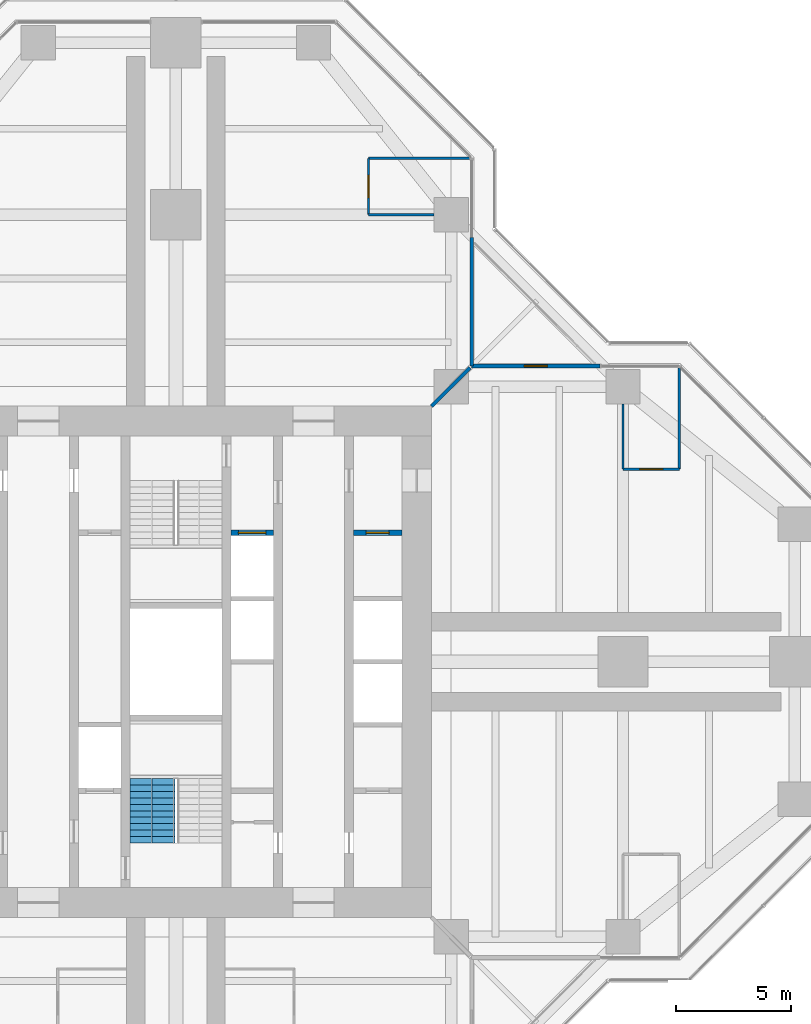
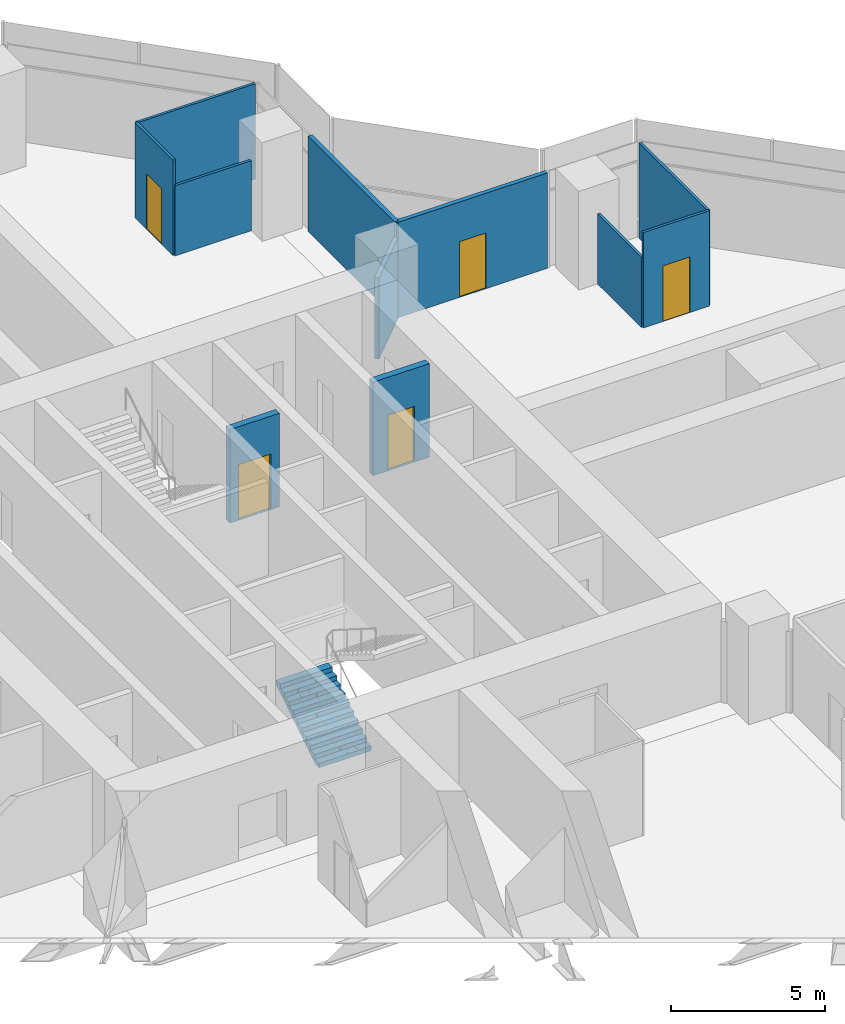
# One storey, part 15 of 17: 11 walls, 5 doors, 1 stair flight, 5 openings, 1 element without a shape of its own.
"""IFC4 building model written with IfcOpenShell, lengths in metres."""

from ifc_helpers import new_model, si_unit, direction, frame, frame_2d, origin, place, context, subcontext, project, spatial, polyline, rectangle, outline, extrude, material, layer, layer_set, type_object, element, fill, aggregate, save


model = new_model("IFC4")

# Units and contexts
model_context = context("Model", 3, precision=1e-05, world=origin(), true_north=direction((0.0, 1.0)))
body_context = subcontext(model_context, "Body", "Model", "MODEL_VIEW")
ifc_project = project(units=[si_unit("LENGTHUNIT", "METRE"), si_unit("AREAUNIT", "SQUARE_METRE"), si_unit("VOLUMEUNIT", "CUBIC_METRE"), si_unit("PLANEANGLEUNIT", "RADIAN"), si_unit("MASSUNIT", "GRAM", prefix="KILO")], contexts=[model_context])

# Site, building, storey
site_placement = place(None, origin())
site = spatial("IfcSite", under=ifc_project, at=site_placement, CompositionType="ELEMENT")
building_placement = place(site_placement, origin())
building = spatial("IfcBuilding", under=site, at=building_placement, Name="Mizan Broadcast Tower", CompositionType="ELEMENT")
storey_placement = place(building_placement, frame((0.0, 0.0, 255.60009765625)))
storey = spatial("IfcBuildingStorey", under=building, at=storey_placement, Name="L60", CompositionType="ELEMENT", Elevation=255.60009765625)

# Wall, opening, door
ifc_material_1 = material(Name="Aluminium framed glazed screen", Category="aluminium")
ifc_layer_1 = layer(ifc_material_1, 0.159912109375)
ifc_layer_set_1 = layer_set([ifc_layer_1], Name="Aluminium framed glazed screen")
wall_type_1 = type_object("IfcWallType", Name="GLAZED SCREEN WALL 160", PredefinedType="SOLIDWALL", material=ifc_layer_set_1)
wall_1_placement = place(storey_placement, frame((18.5, 12.89990234375, 0.0), z_axis=(0.0, 0.0, 1.0), x_axis=(-1.0, 0.0, 0.0)))
wall_1 = element("IfcWall", 1, at=wall_1_placement, inside=storey, type_object=wall_type_1, Name="Winter garden screen L60 E", PredefinedType="SOLIDWALL", context=body_context, shape_type="SweptSolid", body=[
    extrude(rectangle(XDim=5.60009765625, YDim=0.159912109375, at=frame_2d((2.800048828125, 0.0))), origin(), (0.0, 0.0, 1.0), 3.77001953125),
])
opening_1_placement = place(wall_1_placement, frame((2.300048828125, 0.0, 0.0)))
opening_1 = element("IfcOpeningElement", 2, at=opening_1_placement, cuts=wall_1, Name="Opening WGD", PredefinedType="OPENING", context=body_context, shape_type="SweptSolid", body=[
    extrude(rectangle(XDim=1.0, YDim=2.199951171875, at=frame_2d((0.5, 1.10009765625))), frame((0.0, 0.08984375, 0.0), z_axis=(0.0, -1.0, 0.0), x_axis=(1.0, 0.0, 0.0)), (0.0, 0.0, 1.0), 0.179931640625),
])
ifc_material_2 = material(Name="Aluminium framed glazed door", Category="aluminium")
door_type_1 = type_object("IfcDoorType", Name="WINTER GARDEN DOOR 1000 GLAZED", OperationType="SINGLE_SWING_LEFT", PredefinedType="DOOR", material=ifc_material_2)
door_1_placement = place(opening_1_placement, origin())
door_1 = element("IfcDoor", 3, at=door_1_placement, inside=storey, type_object=door_type_1, Name="Winter garden door L60 E", OperationType="SINGLE_SWING_RIGHT", OverallHeight=2.199951171875, OverallWidth=1.0, PredefinedType="DOOR", context=body_context, shape_type="SweptSolid", body=[
    extrude(rectangle(XDim=1.0, YDim=2.199951171875, at=frame_2d((0.5, 1.10009765625))), frame((0.0, 0.02490234375, 0.0), z_axis=(0.0, -1.0, 0.0), x_axis=(1.0, 0.0, 0.0)), (0.0, 0.0, 1.0), 0.050048828125),
])
fill(opening_1, door_1)

# Wall
wall_2_placement = place(storey_placement, frame((12.89990234375, 12.89990234375, 0.0), z_axis=(0.0, 0.0, 1.0), x_axis=(0.0, 1.0, 0.0)))
element("IfcWall", 4, at=wall_2_placement, inside=storey, type_object=wall_type_1, Name="Winter garden screen L60 N", PredefinedType="SOLIDWALL", context=body_context, shape_type="SweptSolid", body=[
    extrude(rectangle(XDim=5.60009765625, YDim=0.159912109375, at=frame_2d((2.800048828125, 0.0))), origin(), (0.0, 0.0, 1.0), 3.77001953125),
])

# Wall, opening, door
ifc_material_3 = material(Name="Concrete blockwork", Category="masonry")
ifc_layer_2 = layer(ifc_material_3, 0.25)
ifc_layer_set_2 = layer_set([ifc_layer_2], Name="Concrete blockwork")
wall_type_2 = type_object("IfcWallType", Name="LOBBY ENCLOSURE WALL 250", PredefinedType="SOLIDWALL", material=ifc_layer_set_2)
wall_3_placement = place(storey_placement, frame((2.39990234375, 5.625, 0.0), z_axis=(0.0, 0.0, 1.0), x_axis=(1.0, 0.0, 0.0)))
wall_3 = element("IfcWall", 5, at=wall_3_placement, inside=storey, type_object=wall_type_2, Name="Lobby enclosure wall CORE/BE2N", PredefinedType="SOLIDWALL", context=body_context, shape_type="SweptSolid", body=[
    extrude(rectangle(XDim=1.85009765625, YDim=0.25, at=frame_2d((0.925048828125, 0.0))), origin(), (0.0, 0.0, 1.0), 3.699951171875),
])
opening_2_placement = place(wall_3_placement, frame((0.324951171875, 0.0, 0.0)))
opening_2 = element("IfcOpeningElement", 6, at=opening_2_placement, cuts=wall_3, Name="Opening LDF", PredefinedType="OPENING", context=body_context, shape_type="SweptSolid", body=[
    extrude(rectangle(XDim=1.199951171875, YDim=2.199951171875, at=frame_2d((0.60009765625, 1.10009765625))), frame((0.0, 0.135009765625, 0.0), z_axis=(0.0, -1.0, 0.0), x_axis=(1.0, 0.0, 0.0)), (0.0, 0.0, 1.0), 0.27001953125),
])
ifc_material_4 = material(Name="Steel door leaf in steel frame", Category="steel")
door_type_2 = type_object("IfcDoorType", Name="FIREFIGHTING LIFT LANDING DOOR 1200", OperationType="SLIDING_TO_LEFT", PredefinedType="DOOR", material=ifc_material_4)
door_2_placement = place(opening_2_placement, origin())
door_2 = element("IfcDoor", 7, at=door_2_placement, inside=storey, type_object=door_type_2, Name="Landing door FF2", OperationType="SLIDING_TO_LEFT", OverallHeight=2.199951171875, OverallWidth=1.199951171875, PredefinedType="DOOR", context=body_context, shape_type="SweptSolid", body=[
    extrude(rectangle(XDim=1.199951171875, YDim=2.199951171875, at=frame_2d((0.60009765625, 1.10009765625))), frame((0.0, 0.02490234375, 0.0), z_axis=(0.0, -1.0, 0.0), x_axis=(1.0, 0.0, 0.0)), (0.0, 0.0, 1.0), 0.050048828125),
])
fill(opening_2, door_2)

wall_4_placement = place(storey_placement, frame((7.75, 5.625, 0.0), z_axis=(0.0, 0.0, 1.0), x_axis=(1.0, 0.0, 0.0)))
wall_4 = element("IfcWall", 8, at=wall_4_placement, inside=storey, type_object=wall_type_2, Name="Lobby enclosure wall CORE/BE1N", PredefinedType="SOLIDWALL", context=body_context, shape_type="SweptSolid", body=[
    extrude(rectangle(XDim=2.10009765625, YDim=0.25, at=frame_2d((1.050048828125, 0.0))), origin(), (0.0, 0.0, 1.0), 3.699951171875),
])
opening_3_placement = place(wall_4_placement, frame((0.550048828125, 0.0, 0.0)))
opening_3 = element("IfcOpeningElement", 9, at=opening_3_placement, cuts=wall_4, Name="Opening D10F", PredefinedType="OPENING", context=body_context, shape_type="SweptSolid", body=[
    extrude(rectangle(XDim=1.0, YDim=2.199951171875, at=frame_2d((0.5, 1.10009765625))), frame((0.0, 0.135009765625, 0.0), z_axis=(0.0, -1.0, 0.0), x_axis=(1.0, 0.0, 0.0)), (0.0, 0.0, 1.0), 0.27001953125),
])
ifc_material_5 = material(Name="Steel door leaf in steel frame", Category="steel")
door_type_3 = type_object("IfcDoorType", Name="FIRE DOOR 1000 FD90", OperationType="SINGLE_SWING_LEFT", PredefinedType="DOOR", material=ifc_material_5)
door_3_placement = place(opening_3_placement, origin())
door_3 = element("IfcDoor", 10, at=door_3_placement, inside=storey, type_object=door_type_3, Name="Security equipment room door", OperationType="SINGLE_SWING_LEFT", OverallHeight=2.199951171875, OverallWidth=1.0, PredefinedType="DOOR", context=body_context, shape_type="SweptSolid", body=[
    extrude(rectangle(XDim=1.0, YDim=2.199951171875, at=frame_2d((0.5, 1.10009765625))), frame((0.0, 0.02490234375, 0.0), z_axis=(0.0, -1.0, 0.0), x_axis=(1.0, 0.0, 0.0)), (0.0, 0.0, 1.0), 0.050048828125),
])
fill(opening_3, door_3)

# Wall
ifc_material_6 = material(Name="Gypsum board on steel studs", Category="steel")
ifc_layer_3 = layer(ifc_material_6, 0.14990234375)
ifc_layer_set_3 = layer_set([ifc_layer_3], Name="Gypsum board on steel studs")
wall_type_3 = type_object("IfcWallType", Name="PARTITION 150", PredefinedType="PARTITIONING", material=ifc_layer_set_3)
wall_5_placement = place(storey_placement, frame((11.14990234375, 11.14990234375, 0.0), z_axis=(0.0, 0.0, 1.0), x_axis=(0.707106781187, 0.707106781187, 0.0)))
element("IfcWall", 11, at=wall_5_placement, inside=storey, type_object=wall_type_3, Name="Partition PT/DGEN", PredefinedType="PARTITIONING", context=body_context, shape_type="SweptSolid", body=[
    extrude(rectangle(XDim=2.362060546875, YDim=0.14990234375, at=frame_2d((1.18115234375, 0.0))), origin(), (0.0, 0.0, 1.0), 3.219970703125),
])

# Wall, opening, door
ifc_material_7 = material(Name="Glazed aluminium partition on aluminium track", Category="aluminium")
ifc_layer_4 = layer(ifc_material_7, 0.10009765625)
ifc_layer_set_4 = layer_set([ifc_layer_4], Name="Glazed aluminium partition on aluminium track")
wall_type_4 = type_object("IfcWallType", Name="PARTITION GLAZED OFFICE FRONT 100", PredefinedType="PARTITIONING", material=ifc_layer_set_4)
wall_6_placement = place(storey_placement, frame((19.5, 8.39990234375, 0.0), z_axis=(0.0, 0.0, 1.0), x_axis=(1.0, 0.0, 0.0)))
wall_6 = element("IfcWall", 12, at=wall_6_placement, inside=storey, type_object=wall_type_4, Name="Glazed office front PT/ECP0", PredefinedType="PARTITIONING", context=body_context, shape_type="SweptSolid", body=[
    extrude(rectangle(XDim=2.458984375, YDim=0.10009765625, at=frame_2d((1.2294921875, 0.0))), origin(), (0.0, 0.0, 1.0), 3.77001953125),
])
opening_4_placement = place(wall_6_placement, frame((0.7294921875, 0.0, 0.0)))
opening_4 = element("IfcOpeningElement", 13, at=opening_4_placement, cuts=wall_6, Name="Opening D10O", PredefinedType="OPENING", context=body_context, shape_type="SweptSolid", body=[
    extrude(rectangle(XDim=1.0, YDim=2.199951171875, at=frame_2d((0.5, 1.10009765625))), frame((0.0, 0.06005859375, 0.0), z_axis=(0.0, -1.0, 0.0), x_axis=(1.0, 0.0, 0.0)), (0.0, 0.0, 1.0), 0.1201171875),
])
ifc_material_8 = material(Name="Timber door leaf in aluminium frame", Category="wood")
door_type_4 = type_object("IfcDoorType", Name="OFFICE DOOR 1000 GLAZED", OperationType="SINGLE_SWING_LEFT", PredefinedType="DOOR", material=ifc_material_8)
door_4_placement = place(opening_4_placement, origin())
door_4 = element("IfcDoor", 14, at=door_4_placement, inside=storey, type_object=door_type_4, Name="Film library door", OperationType="SINGLE_SWING_LEFT", OverallHeight=2.199951171875, OverallWidth=1.0, PredefinedType="DOOR", context=body_context, shape_type="SweptSolid", body=[
    extrude(rectangle(XDim=1.0, YDim=2.199951171875, at=frame_2d((0.5, 1.10009765625))), frame((0.0, 0.02490234375, 0.0), z_axis=(0.0, -1.0, 0.0), x_axis=(1.0, 0.0, 0.0)), (0.0, 0.0, 1.0), 0.050048828125),
])
fill(opening_4, door_4)

# Walls
wall_7_placement = place(storey_placement, frame((19.5, 8.39990234375, 0.0), z_axis=(0.0, 0.0, 1.0), x_axis=(0.0, 1.0, 0.0)))
element("IfcWall", 15, at=wall_7_placement, inside=storey, type_object=wall_type_4, Name="Glazed office front PT/EQP1950", PredefinedType="PARTITIONING", context=body_context, shape_type="SweptSolid", body=[
    extrude(rectangle(XDim=2.85009765625, YDim=0.10009765625, at=frame_2d((1.425048828125, 0.0))), origin(), (0.0, 0.0, 1.0), 2.77001953125),
])
wall_8_placement = place(storey_placement, frame((21.958984375, 8.39990234375, 0.0), z_axis=(0.0, 0.0, 1.0), x_axis=(0.0, 1.0, 0.0)))
element("IfcWall", 16, at=wall_8_placement, inside=storey, type_object=wall_type_4, Name="Glazed office front PT/EQP2196", PredefinedType="PARTITIONING", context=body_context, shape_type="SweptSolid", body=[
    extrude(rectangle(XDim=4.420166015625, YDim=0.10009765625, at=frame_2d((2.2099609375, 0.0))), origin(), (0.0, 0.0, 1.0), 3.77001953125),
])

# Wall, opening, door
wall_9_placement = place(storey_placement, frame((8.39990234375, 19.5, 0.0), z_axis=(0.0, 0.0, 1.0), x_axis=(0.0, 1.0, 0.0)))
wall_9 = element("IfcWall", 17, at=wall_9_placement, inside=storey, type_object=wall_type_4, Name="Glazed office front PT/NCN0", PredefinedType="PARTITIONING", context=body_context, shape_type="SweptSolid", body=[
    extrude(rectangle(XDim=2.458984375, YDim=0.10009765625, at=frame_2d((1.2294921875, 0.0))), origin(), (0.0, 0.0, 1.0), 3.77001953125),
])
opening_5_placement = place(wall_9_placement, frame((0.7294921875, 0.0, 0.0)))
opening_5 = element("IfcOpeningElement", 18, at=opening_5_placement, cuts=wall_9, Name="Opening D10O", PredefinedType="OPENING", context=body_context, shape_type="SweptSolid", body=[
    extrude(rectangle(XDim=1.0, YDim=2.199951171875, at=frame_2d((0.5, 1.10009765625))), frame((0.0, 0.06005859375, 0.0), z_axis=(0.0, -1.0, 0.0), x_axis=(1.0, 0.0, 0.0)), (0.0, 0.0, 1.0), 0.1201171875),
])
door_5_placement = place(opening_5_placement, origin())
door_5 = element("IfcDoor", 19, at=door_5_placement, inside=storey, type_object=door_type_4, Name="Office door", OperationType="SINGLE_SWING_LEFT", OverallHeight=2.199951171875, OverallWidth=1.0, PredefinedType="DOOR", context=body_context, shape_type="SweptSolid", body=[
    extrude(rectangle(XDim=1.0, YDim=2.199951171875, at=frame_2d((0.5, 1.10009765625))), frame((0.0, 0.02490234375, 0.0), z_axis=(0.0, -1.0, 0.0), x_axis=(1.0, 0.0, 0.0)), (0.0, 0.0, 1.0), 0.050048828125),
])
fill(opening_5, door_5)

# Walls
wall_10_placement = place(storey_placement, frame((8.39990234375, 19.5, 0.0), z_axis=(0.0, 0.0, 1.0), x_axis=(1.0, 0.0, 0.0)))
element("IfcWall", 20, at=wall_10_placement, inside=storey, type_object=wall_type_4, Name="Glazed office front PT/NQN1950", PredefinedType="PARTITIONING", context=body_context, shape_type="SweptSolid", body=[
    extrude(rectangle(XDim=2.85009765625, YDim=0.10009765625, at=frame_2d((1.425048828125, 0.0))), origin(), (0.0, 0.0, 1.0), 2.77001953125),
])
wall_11_placement = place(storey_placement, frame((8.39990234375, 21.958984375, 0.0), z_axis=(0.0, 0.0, 1.0), x_axis=(1.0, 0.0, 0.0)))
element("IfcWall", 21, at=wall_11_placement, inside=storey, type_object=wall_type_4, Name="Glazed office front PT/NQN2196", PredefinedType="PARTITIONING", context=body_context, shape_type="SweptSolid", body=[
    extrude(rectangle(XDim=4.420166015625, YDim=0.10009765625, at=frame_2d((2.2099609375, 0.0))), origin(), (0.0, 0.0, 1.0), 3.77001953125),
])

# Stair, stair flight
ifc_material_9 = material(Name="Concrete C40/50", Category="concrete")
stair_type = type_object("IfcStairType", Name="EXIT STAIR", PredefinedType="HALF_TURN_STAIR", material=ifc_material_9)
stair_placement = place(storey_placement, origin())
stair = element("IfcStair", 22, at=stair_placement, inside=storey, type_object=stair_type, Name="Stair A L60", PredefinedType="HALF_TURN_STAIR")
ifc_material_10 = material(Name="Concrete C40/50", Category="concrete")
stair_flight_type = type_object("IfcStairFlightType", Name="EXIT STAIR FLIGHT", PredefinedType="STRAIGHT", material=ifc_material_10)
stair_flight_placement = place(storey_placement, frame((-1.02490234375, -7.89990234375, 0.0), z_axis=(0.0, 0.0, 1.0), x_axis=(0.0, 1.0, 0.0)))
stair_flight = element("IfcStairFlight", 23, at=stair_flight_placement, type_object=stair_flight_type, Name="A flight 1", NumberOfRisers=11, NumberOfTreads=10, PredefinedType="STRAIGHT", RiserHeight=0.177272727, TreadLength=0.28, context=body_context, shape_type="SweptSolid", body=[
    extrude(outline(polyline([(0.0, 0.0), (0.0, 0.17724609375), (0.280029296875, 0.17724609375), (0.280029296875, 0.3544921875), (0.56005859375, 0.3544921875), (0.56005859375, 0.53173828125), (0.840087890625, 0.53173828125), (0.840087890625, 0.708984375), (1.1201171875, 0.708984375), (1.1201171875, 0.886474609375), (1.39990234375, 0.886474609375), (1.39990234375, 1.063720703125), (1.679931640625, 1.063720703125), (1.679931640625, 1.240966796875), (1.9599609375, 1.240966796875), (1.9599609375, 1.418212890625), (2.239990234375, 1.418212890625), (2.239990234375, 1.595458984375), (2.52001953125, 1.595458984375), (2.52001953125, 1.772705078125), (2.800048828125, 1.772705078125), (2.800048828125, 1.949951171875), (2.800048828125, 1.59521484375), (0.2802734375, 0.0), (0.0, 0.0)])), frame((0.0, 0.97509765625, 0.0), z_axis=(0.0, -1.0, 0.0), x_axis=(1.0, 0.0, 0.0)), (0.0, 0.0, 1.0), 0.4873046875),
    extrude(outline(polyline([(0.0, 0.0), (0.0, 0.17724609375), (0.280029296875, 0.17724609375), (0.280029296875, 0.3544921875), (0.56005859375, 0.3544921875), (0.56005859375, 0.53173828125), (0.840087890625, 0.53173828125), (0.840087890625, 0.708984375), (1.1201171875, 0.708984375), (1.1201171875, 0.886474609375), (1.39990234375, 0.886474609375), (1.39990234375, 1.063720703125), (1.679931640625, 1.063720703125), (1.679931640625, 1.240966796875), (1.9599609375, 1.240966796875), (1.9599609375, 1.418212890625), (2.239990234375, 1.418212890625), (2.239990234375, 1.595458984375), (2.52001953125, 1.595458984375), (2.52001953125, 1.772705078125), (2.800048828125, 1.772705078125), (2.800048828125, 1.949951171875), (2.800048828125, 1.59521484375), (0.2802734375, 0.0), (0.0, 0.0)])), frame((0.0, 0.4873046875, 0.0), z_axis=(0.0, -1.0, 0.0), x_axis=(1.0, 0.0, 0.0)), (0.0, 0.0, 1.0), 0.2431640625),
    extrude(outline(polyline([(0.0, 0.0), (0.0, 0.17724609375), (0.280029296875, 0.17724609375), (0.280029296875, 0.3544921875), (0.56005859375, 0.3544921875), (0.56005859375, 0.53173828125), (0.840087890625, 0.53173828125), (0.840087890625, 0.708984375), (1.1201171875, 0.708984375), (1.1201171875, 0.886474609375), (1.39990234375, 0.886474609375), (1.39990234375, 1.063720703125), (1.679931640625, 1.063720703125), (1.679931640625, 1.240966796875), (1.9599609375, 1.240966796875), (1.9599609375, 1.418212890625), (2.239990234375, 1.418212890625), (2.239990234375, 1.595458984375), (2.52001953125, 1.595458984375), (2.52001953125, 1.772705078125), (2.800048828125, 1.772705078125), (2.800048828125, 1.949951171875), (2.800048828125, 1.59521484375), (0.2802734375, 0.0), (0.0, 0.0)])), frame((0.0, 0.24365234375, 0.0), z_axis=(0.0, -1.0, 0.0), x_axis=(1.0, 0.0, 0.0)), (0.0, 0.0, 1.0), 0.121337890625),
    extrude(outline(polyline([(0.0, 0.0), (0.0, 0.17724609375), (0.280029296875, 0.17724609375), (0.280029296875, 0.3544921875), (0.56005859375, 0.3544921875), (0.56005859375, 0.53173828125), (0.840087890625, 0.53173828125), (0.840087890625, 0.708984375), (1.1201171875, 0.708984375), (1.1201171875, 0.886474609375), (1.39990234375, 0.886474609375), (1.39990234375, 1.063720703125), (1.679931640625, 1.063720703125), (1.679931640625, 1.240966796875), (1.9599609375, 1.240966796875), (1.9599609375, 1.418212890625), (2.239990234375, 1.418212890625), (2.239990234375, 1.595458984375), (2.52001953125, 1.595458984375), (2.52001953125, 1.772705078125), (2.800048828125, 1.772705078125), (2.800048828125, 1.949951171875), (2.800048828125, 1.59521484375), (0.2802734375, 0.0), (0.0, 0.0)])), frame((0.0, 0.121826171875, 0.0), z_axis=(0.0, -1.0, 0.0), x_axis=(1.0, 0.0, 0.0)), (0.0, 0.0, 1.0), 0.060546875),
    extrude(outline(polyline([(0.0, 0.0), (0.0, 0.17724609375), (0.280029296875, 0.17724609375), (0.280029296875, 0.3544921875), (0.56005859375, 0.3544921875), (0.56005859375, 0.53173828125), (0.840087890625, 0.53173828125), (0.840087890625, 0.708984375), (1.1201171875, 0.708984375), (1.1201171875, 0.886474609375), (1.39990234375, 0.886474609375), (1.39990234375, 1.063720703125), (1.679931640625, 1.063720703125), (1.679931640625, 1.240966796875), (1.9599609375, 1.240966796875), (1.9599609375, 1.418212890625), (2.239990234375, 1.418212890625), (2.239990234375, 1.595458984375), (2.52001953125, 1.595458984375), (2.52001953125, 1.772705078125), (2.800048828125, 1.772705078125), (2.800048828125, 1.949951171875), (2.800048828125, 1.59521484375), (0.2802734375, 0.0), (0.0, 0.0)])), frame((0.0, 0.060791015625, 0.0), z_axis=(0.0, -1.0, 0.0), x_axis=(1.0, 0.0, 0.0)), (0.0, 0.0, 1.0), 0.030029296875),
    extrude(outline(polyline([(0.0, 0.0), (0.0, 0.17724609375), (0.280029296875, 0.17724609375), (0.280029296875, 0.3544921875), (0.56005859375, 0.3544921875), (0.56005859375, 0.53173828125), (0.840087890625, 0.53173828125), (0.840087890625, 0.708984375), (1.1201171875, 0.708984375), (1.1201171875, 0.886474609375), (1.39990234375, 0.886474609375), (1.39990234375, 1.063720703125), (1.679931640625, 1.063720703125), (1.679931640625, 1.240966796875), (1.9599609375, 1.240966796875), (1.9599609375, 1.418212890625), (2.239990234375, 1.418212890625), (2.239990234375, 1.595458984375), (2.52001953125, 1.595458984375), (2.52001953125, 1.772705078125), (2.800048828125, 1.772705078125), (2.800048828125, 1.949951171875), (2.800048828125, 1.59521484375), (0.2802734375, 0.0), (0.0, 0.0)])), frame((0.0, 0.0302734375, 0.0), z_axis=(0.0, -1.0, 0.0), x_axis=(1.0, 0.0, 0.0)), (0.0, 0.0, 1.0), 0.060302734375),
    extrude(outline(polyline([(0.0, 0.0), (0.0, 0.17724609375), (0.280029296875, 0.17724609375), (0.280029296875, 0.3544921875), (0.56005859375, 0.3544921875), (0.56005859375, 0.53173828125), (0.840087890625, 0.53173828125), (0.840087890625, 0.708984375), (1.1201171875, 0.708984375), (1.1201171875, 0.886474609375), (1.39990234375, 0.886474609375), (1.39990234375, 1.063720703125), (1.679931640625, 1.063720703125), (1.679931640625, 1.240966796875), (1.9599609375, 1.240966796875), (1.9599609375, 1.418212890625), (2.239990234375, 1.418212890625), (2.239990234375, 1.595458984375), (2.52001953125, 1.595458984375), (2.52001953125, 1.772705078125), (2.800048828125, 1.772705078125), (2.800048828125, 1.949951171875), (2.800048828125, 1.59521484375), (0.2802734375, 0.0), (0.0, 0.0)])), frame((0.0, -0.030517578125, 0.0), z_axis=(0.0, -1.0, 0.0), x_axis=(1.0, 0.0, 0.0)), (0.0, 0.0, 1.0), 0.030029296875),
    extrude(outline(polyline([(0.0, 0.0), (0.0, 0.17724609375), (0.280029296875, 0.17724609375), (0.280029296875, 0.3544921875), (0.56005859375, 0.3544921875), (0.56005859375, 0.53173828125), (0.840087890625, 0.53173828125), (0.840087890625, 0.708984375), (1.1201171875, 0.708984375), (1.1201171875, 0.886474609375), (1.39990234375, 0.886474609375), (1.39990234375, 1.063720703125), (1.679931640625, 1.063720703125), (1.679931640625, 1.240966796875), (1.9599609375, 1.240966796875), (1.9599609375, 1.418212890625), (2.239990234375, 1.418212890625), (2.239990234375, 1.595458984375), (2.52001953125, 1.595458984375), (2.52001953125, 1.772705078125), (2.800048828125, 1.772705078125), (2.800048828125, 1.949951171875), (2.800048828125, 1.59521484375), (0.2802734375, 0.0), (0.0, 0.0)])), frame((0.0, -0.06103515625, 0.0), z_axis=(0.0, -1.0, 0.0), x_axis=(1.0, 0.0, 0.0)), (0.0, 0.0, 1.0), 0.060546875),
    extrude(outline(polyline([(0.0, 0.0), (0.0, 0.17724609375), (0.280029296875, 0.17724609375), (0.280029296875, 0.3544921875), (0.56005859375, 0.3544921875), (0.56005859375, 0.53173828125), (0.840087890625, 0.53173828125), (0.840087890625, 0.708984375), (1.1201171875, 0.708984375), (1.1201171875, 0.886474609375), (1.39990234375, 0.886474609375), (1.39990234375, 1.063720703125), (1.679931640625, 1.063720703125), (1.679931640625, 1.240966796875), (1.9599609375, 1.240966796875), (1.9599609375, 1.418212890625), (2.239990234375, 1.418212890625), (2.239990234375, 1.595458984375), (2.52001953125, 1.595458984375), (2.52001953125, 1.772705078125), (2.800048828125, 1.772705078125), (2.800048828125, 1.949951171875), (2.800048828125, 1.59521484375), (0.2802734375, 0.0), (0.0, 0.0)])), frame((0.0, -0.1220703125, 0.0), z_axis=(0.0, -1.0, 0.0), x_axis=(1.0, 0.0, 0.0)), (0.0, 0.0, 1.0), 0.121337890625),
    extrude(outline(polyline([(0.0, 0.0), (0.0, 0.17724609375), (0.280029296875, 0.17724609375), (0.280029296875, 0.3544921875), (0.56005859375, 0.3544921875), (0.56005859375, 0.53173828125), (0.840087890625, 0.53173828125), (0.840087890625, 0.708984375), (1.1201171875, 0.708984375), (1.1201171875, 0.886474609375), (1.39990234375, 0.886474609375), (1.39990234375, 1.063720703125), (1.679931640625, 1.063720703125), (1.679931640625, 1.240966796875), (1.9599609375, 1.240966796875), (1.9599609375, 1.418212890625), (2.239990234375, 1.418212890625), (2.239990234375, 1.595458984375), (2.52001953125, 1.595458984375), (2.52001953125, 1.772705078125), (2.800048828125, 1.772705078125), (2.800048828125, 1.949951171875), (2.800048828125, 1.59521484375), (0.2802734375, 0.0), (0.0, 0.0)])), frame((0.0, -0.243896484375, 0.0), z_axis=(0.0, -1.0, 0.0), x_axis=(1.0, 0.0, 0.0)), (0.0, 0.0, 1.0), 0.2431640625),
    extrude(outline(polyline([(0.0, 0.0), (0.0, 0.17724609375), (0.280029296875, 0.17724609375), (0.280029296875, 0.3544921875), (0.56005859375, 0.3544921875), (0.56005859375, 0.53173828125), (0.840087890625, 0.53173828125), (0.840087890625, 0.708984375), (1.1201171875, 0.708984375), (1.1201171875, 0.886474609375), (1.39990234375, 0.886474609375), (1.39990234375, 1.063720703125), (1.679931640625, 1.063720703125), (1.679931640625, 1.240966796875), (1.9599609375, 1.240966796875), (1.9599609375, 1.418212890625), (2.239990234375, 1.418212890625), (2.239990234375, 1.595458984375), (2.52001953125, 1.595458984375), (2.52001953125, 1.772705078125), (2.800048828125, 1.772705078125), (2.800048828125, 1.949951171875), (2.800048828125, 1.59521484375), (0.2802734375, 0.0), (0.0, 0.0)])), frame((0.0, -0.487548828125, 0.0), z_axis=(0.0, -1.0, 0.0), x_axis=(1.0, 0.0, 0.0)), (0.0, 0.0, 1.0), 0.4873046875),
])
aggregate(stair, [stair_flight])

save(model, "model.ifc")
